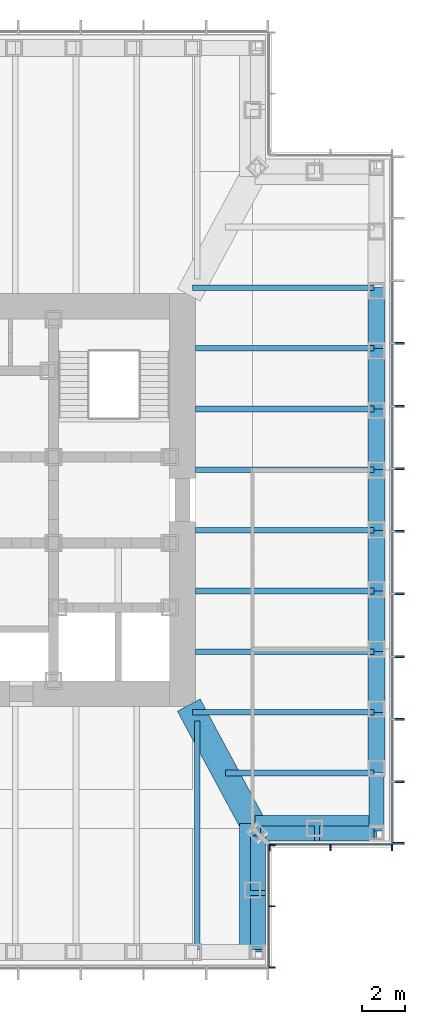
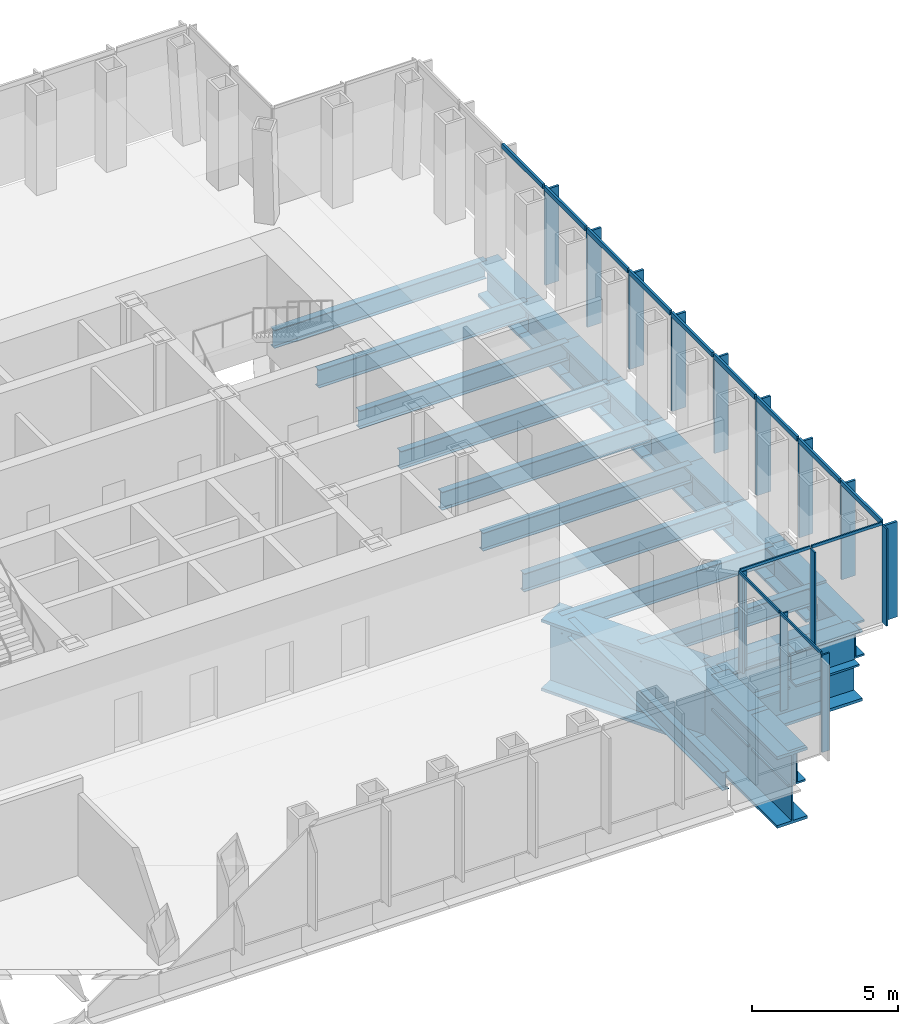
# One storey, part 4 of 14: 28 members, 26 beams, 3 elements without a shape of their own.
"""IFC4 building model written with IfcOpenShell, lengths in metres."""

import ifcopenshell
import ifcopenshell.guid

model = None  # the IFC model being written
_history = None  # IfcOwnerHistory: only IFC2X3 demands one
_inside = {}  # id of a spatial element -> (the spatial element, [elements in it])
_under = {}  # id of a project, library or spatial element -> (it, [spatial elements below it])
_declared = {}  # id of a project -> (the project, [libraries it declares])
_typed = {}  # id of a type object -> (the type object, [elements of that type])
_made_of = {}  # id of a material, layer set ... -> (it, [elements and type objects made of it])


def new_model(schema):
    """Start an empty IFC model of exactly this schema.

    Asked for "IFC4X3", IfcOpenShell would pick the latest addendum, in which some entities
    have other attributes; the version numbers below select the first issue.
    IFC2X3 requires an IfcOwnerHistory on every rooted entity: one is made here for all.
    """
    global model, _history
    if schema == "IFC4X3":
        model = ifcopenshell.file(schema_version=(4, 3, 0, 0))
    else:
        model = ifcopenshell.file(schema=schema)
    _inside.clear()
    _under.clear()
    _declared.clear()
    _typed.clear()
    _made_of.clear()
    _history = None
    if model.schema == "IFC2X3":
        org = make("IfcOrganization", Name="unknown")
        user = make(
            "IfcPersonAndOrganization",
            ThePerson=make("IfcPerson", FamilyName="unknown"),
            TheOrganization=org,
        )
        app = make(
            "IfcApplication",
            ApplicationDeveloper=org,
            Version="unknown",
            ApplicationFullName="unknown",
            ApplicationIdentifier="unknown",
        )
        _history = make(
            "IfcOwnerHistory",
            OwningUser=user,
            OwningApplication=app,
            ChangeAction="ADDED",
            CreationDate=0,
        )
    return model


def make(cls, **values):
    """One entity of the class cls with the attributes given. An attribute that is None is left unset."""
    return model.create_entity(
        cls, **{name: value for name, value in values.items() if value is not None}
    )


def rooted(cls, **values):
    """An entity with a GlobalId (a new one), such as an element, a storey or a relation."""
    return make(cls, GlobalId=ifcopenshell.guid.new(), OwnerHistory=_history, **values)


def si_unit(unit_type, name, prefix=None):
    """IfcSIUnit, for example si_unit("LENGTHUNIT", "METRE", prefix="MILLI")."""
    return make("IfcSIUnit", UnitType=unit_type, Prefix=prefix, Name=name)


def assignment(units):
    """IfcUnitAssignment: the units of a project."""
    return None if units is None else make("IfcUnitAssignment", Units=units)


def point(xyz):
    """IfcCartesianPoint."""
    return None if xyz is None else make("IfcCartesianPoint", Coordinates=xyz)


def direction(xyz):
    """IfcDirection."""
    return None if xyz is None else make("IfcDirection", DirectionRatios=xyz)


def frame(location, z_axis=None, x_axis=None):
    """IfcAxis2Placement3D, a coordinate frame: its origin and axes. An axis left out is left unset."""
    return make(
        "IfcAxis2Placement3D",
        Location=point(location),
        Axis=direction(z_axis),
        RefDirection=direction(x_axis),
    )


def frame_2d(location, x_axis=None):
    """IfcAxis2Placement2D, a coordinate frame in the plane: its origin and x axis."""
    return make(
        "IfcAxis2Placement2D", Location=point(location), RefDirection=direction(x_axis)
    )


def origin():
    """The frame at (0, 0, 0) with its axes left unset."""
    return frame((0.0, 0.0, 0.0))


def origin_2d():
    """The frame at (0, 0) in the plane with its x axis left unset."""
    return frame_2d((0.0, 0.0))


def place(relative_to, where):
    """IfcLocalPlacement: puts the frame where relative to a parent placement (None: the world)."""
    return make(
        "IfcLocalPlacement", PlacementRelTo=relative_to, RelativePlacement=where
    )


def context(
    kind, dimensions, precision=None, world=None, true_north=None, identifier=None
):
    """IfcGeometricRepresentationContext, for example the 3D "Model" context."""
    return make(
        "IfcGeometricRepresentationContext",
        ContextIdentifier=identifier,
        ContextType=kind,
        CoordinateSpaceDimension=dimensions,
        Precision=precision,
        WorldCoordinateSystem=world,
        TrueNorth=true_north,
    )


def subcontext(parent, identifier, kind, view, scale=None):
    """IfcGeometricRepresentationSubContext, for example "Body" below "Model"."""
    return make(
        "IfcGeometricRepresentationSubContext",
        ContextIdentifier=identifier,
        ContextType=kind,
        ParentContext=parent,
        TargetScale=scale,
        TargetView=view,
    )


def project(units=None, contexts=None):
    """IfcProject with its units and contexts."""
    return rooted(
        "IfcProject",
        Name="project",
        RepresentationContexts=contexts,
        UnitsInContext=assignment(units),
    )


def spatial(cls, under=None, at=None, **own):
    """A site, building, storey or space (cls), placed at a placement, below another one or the project."""
    s = rooted(cls, ObjectPlacement=at, **own)
    if under is not None:
        _under.setdefault(under.id(), (under, []))[1].append(s)
    return s


def profile(cls, at=None, kind="AREA", **sizes):
    """A parametric profile (cls). Its sizes go by their IFC names, for example OverallWidth=200.0."""
    return make(cls, ProfileType=kind, Position=at, **sizes)


def rectangle(**sizes):
    """IfcRectangleProfileDef."""
    return profile("IfcRectangleProfileDef", **sizes)


def i_section(**sizes):
    """IfcIShapeProfileDef."""
    return profile("IfcIShapeProfileDef", **sizes)


def extrude(swept, where, along, depth):
    """IfcExtrudedAreaSolid: the profile swept, set in the frame where, extruded along a direction by depth."""
    return make(
        "IfcExtrudedAreaSolid",
        SweptArea=swept,
        Position=where,
        ExtrudedDirection=direction(along),
        Depth=depth,
    )


def shape(context_of_items, identifier, shape_type, items):
    """IfcShapeRepresentation: the items that make up one representation, for example the "Body"."""
    return make(
        "IfcShapeRepresentation",
        ContextOfItems=context_of_items,
        RepresentationIdentifier=identifier,
        RepresentationType=shape_type,
        Items=items,
    )


def material(Name=None, Category=None):
    """IfcMaterial."""
    return make("IfcMaterial", Name=Name, Category=Category)


def material_profile(
    of_material, cross_section, Name=None, Category=None, Priority=None
):
    """IfcMaterialProfile: a cross section and its material."""
    return make(
        "IfcMaterialProfile",
        Name=Name,
        Material=of_material,
        Profile=cross_section,
        Priority=Priority,
        Category=Category,
    )


def profile_set(profiles, Name=None, composite=None):
    """IfcMaterialProfileSet."""
    return make(
        "IfcMaterialProfileSet",
        Name=Name,
        MaterialProfiles=profiles,
        CompositeProfile=composite,
    )


def made_of(thing, what):
    """Note that an element or type object is made of a material, layer set ...; save() writes the relation."""
    if what is not None:
        _made_of.setdefault(what.id(), (what, []))[1].append(thing)
    return thing


def type_object(cls, material=None, **own):
    """A type object (cls), such as IfcWallType, which elements share."""
    return made_of(rooted(cls, **own), material)


def element(
    cls,
    number,
    at=None,
    inside=None,
    cuts=None,
    type_object=None,
    material=None,
    context=None,
    identifier="Body",
    shape_type=None,
    held_by="IfcProductDefinitionShape",
    body=None,
    shapes=None,
    **own,
):
    """One element of the class cls, such as IfcWall. Its Tag is "e" and its number.

    at: its placement. inside: the storey or other place that contains it. cuts: it is an
    opening in that element (IfcRelVoidsElement). A single representation is given by context,
    identifier, shape_type and body (its items); several are given by shapes. held_by: the class
    of the entity that holds the representations. save() writes the other relations.
    """
    e = rooted(cls, Tag="e%d" % number, ObjectPlacement=at, **own)
    if body is not None:
        shapes = [shape(context, identifier, shape_type, body)]
    if shapes is not None:
        e.Representation = make(held_by, Representations=shapes)
    if inside is not None:
        _inside.setdefault(inside.id(), (inside, []))[1].append(e)
    if cuts is not None:
        rooted(
            "IfcRelVoidsElement", RelatingBuildingElement=cuts, RelatedOpeningElement=e
        )
    if type_object is not None:
        _typed.setdefault(type_object.id(), (type_object, []))[1].append(e)
    return made_of(e, material)


def aggregate(whole, parts):
    """IfcRelAggregates: a whole, such as a stair, and the parts it consists of."""
    return rooted("IfcRelAggregates", RelatingObject=whole, RelatedObjects=parts)


def save(model, path):
    """Write the relations noted so far, then the file.

    IfcRelAggregates (storeys below a building ...), IfcRelContainedInSpatialStructure (elements
    in a storey), IfcRelDefinesByType, IfcRelAssociatesMaterial and IfcRelDeclares: one each for
    every whole, place, type object, material and project.
    """
    for whole, parts in _under.values():
        aggregate(whole, parts)
    for where, things in _inside.values():
        rooted(
            "IfcRelContainedInSpatialStructure",
            RelatedElements=things,
            RelatingStructure=where,
        )
    for kind, things in _typed.values():
        rooted("IfcRelDefinesByType", RelatedObjects=things, RelatingType=kind)
    for what, things in _made_of.values():
        rooted("IfcRelAssociatesMaterial", RelatedObjects=things, RelatingMaterial=what)
    for by, libraries in _declared.values():
        rooted("IfcRelDeclares", RelatingContext=by, RelatedDefinitions=libraries)
    model.write(path)


model = new_model("IFC4")

# Units and contexts
model_context = context("Model", 3, precision=1e-05, world=origin(), true_north=direction((0.0, 1.0)))
body_context = subcontext(model_context, "Body", "Model", "MODEL_VIEW")
ifc_project = project(units=[si_unit("LENGTHUNIT", "METRE"), si_unit("AREAUNIT", "SQUARE_METRE"), si_unit("VOLUMEUNIT", "CUBIC_METRE"), si_unit("PLANEANGLEUNIT", "RADIAN"), si_unit("MASSUNIT", "GRAM", prefix="KILO")], contexts=[model_context])

# Site, building, storey
site_placement = place(None, origin())
site = spatial("IfcSite", under=ifc_project, at=site_placement, CompositionType="ELEMENT")
building_placement = place(site_placement, origin())
building = spatial("IfcBuilding", under=site, at=building_placement, Name="Daluyong Arena Tower", CompositionType="ELEMENT")
storey_placement = place(building_placement, frame((0.0, 0.0, 250.300048828125)))
storey = spatial("IfcBuildingStorey", under=building, at=storey_placement, Name="L56", CompositionType="ELEMENT", Elevation=250.300048828125)

# Curtain wall, members
ifc_material_1 = material(Name="Bronze anodised aluminium and glass", Category="aluminium")
curtain_wall_type_1 = type_object("IfcCurtainWallType", Name="Curtain wall CW4", PredefinedType="USERDEFINED", material=ifc_material_1)
curtain_wall_1_placement = place(storey_placement, origin())
curtain_wall_1 = element("IfcCurtainWall", 1, at=curtain_wall_1_placement, inside=storey, type_object=curtain_wall_type_1, Name="curtain wall L56 E", ObjectType="UNITISED CURTAIN WALL", PredefinedType="USERDEFINED")
ifc_material_2 = material(Name="Bronze anodised aluminium fin", Category="aluminium")
ifc_material_profile_1 = material_profile(ifc_material_2, rectangle(XDim=0.550048828125, YDim=0.090087890625, at=origin_2d()))
ifc_profile_set_1 = profile_set([ifc_material_profile_1], Name="Bronze anodised aluminium fin")
member_type_1 = type_object("IfcMemberType", Name="CW4 bronze fin 550x90", PredefinedType="MULLION", material=ifc_profile_set_1)
member_1_placement = place(storey_placement, frame((78.02490234375, 64.044921875, 0.0), z_axis=(0.0, 0.0, 1.0), x_axis=(-1.0, 0.0, 0.0)))
member_1 = element("IfcMember", 2, at=member_1_placement, type_object=member_type_1, Name="curtain wall L56 E fin 1", PredefinedType="MULLION", context=body_context, shape_type="SweptSolid", body=[
    extrude(rectangle(XDim=0.550048828125, YDim=0.090087890625, at=origin_2d()), origin(), (0.0, 0.0, 1.0), 4.0),
])
member_2_placement = place(storey_placement, frame((78.02490234375, 66.9091796875, 0.0), z_axis=(0.0, 0.0, 1.0), x_axis=(-1.0, 0.0, 0.0)))
member_2 = element("IfcMember", 3, at=member_2_placement, type_object=member_type_1, Name="curtain wall L56 E fin 2", PredefinedType="MULLION", context=body_context, shape_type="SweptSolid", body=[
    extrude(rectangle(XDim=0.550048828125, YDim=0.090087890625, at=origin_2d()), origin(), (0.0, 0.0, 1.0), 4.0),
])
member_3_placement = place(storey_placement, frame((78.02490234375, 69.818115234375, 0.0), z_axis=(0.0, 0.0, 1.0), x_axis=(-1.0, 0.0, 0.0)))
member_3 = element("IfcMember", 4, at=member_3_placement, type_object=member_type_1, Name="curtain wall L56 E fin 3", PredefinedType="MULLION", context=body_context, shape_type="SweptSolid", body=[
    extrude(rectangle(XDim=0.550048828125, YDim=0.090087890625, at=origin_2d()), origin(), (0.0, 0.0, 1.0), 4.0),
])
member_4_placement = place(storey_placement, frame((78.02490234375, 72.727294921875, 0.0), z_axis=(0.0, 0.0, 1.0), x_axis=(-1.0, 0.0, 0.0)))
member_4 = element("IfcMember", 5, at=member_4_placement, type_object=member_type_1, Name="curtain wall L56 E fin 4", PredefinedType="MULLION", context=body_context, shape_type="SweptSolid", body=[
    extrude(rectangle(XDim=0.550048828125, YDim=0.090087890625, at=origin_2d()), origin(), (0.0, 0.0, 1.0), 4.0),
])
member_5_placement = place(storey_placement, frame((78.02490234375, 75.636474609375, 0.0), z_axis=(0.0, 0.0, 1.0), x_axis=(-1.0, 0.0, 0.0)))
member_5 = element("IfcMember", 6, at=member_5_placement, type_object=member_type_1, Name="curtain wall L56 E fin 5", PredefinedType="MULLION", context=body_context, shape_type="SweptSolid", body=[
    extrude(rectangle(XDim=0.550048828125, YDim=0.090087890625, at=origin_2d()), origin(), (0.0, 0.0, 1.0), 4.0),
])
member_6_placement = place(storey_placement, frame((78.02490234375, 78.54541015625, 0.0), z_axis=(0.0, 0.0, 1.0), x_axis=(-1.0, 0.0, 0.0)))
member_6 = element("IfcMember", 7, at=member_6_placement, type_object=member_type_1, Name="curtain wall L56 E fin 6", PredefinedType="MULLION", context=body_context, shape_type="SweptSolid", body=[
    extrude(rectangle(XDim=0.550048828125, YDim=0.090087890625, at=origin_2d()), origin(), (0.0, 0.0, 1.0), 4.0),
])
member_7_placement = place(storey_placement, frame((78.02490234375, 81.45458984375, 0.0), z_axis=(0.0, 0.0, 1.0), x_axis=(-1.0, 0.0, 0.0)))
member_7 = element("IfcMember", 8, at=member_7_placement, type_object=member_type_1, Name="curtain wall L56 E fin 7", PredefinedType="MULLION", context=body_context, shape_type="SweptSolid", body=[
    extrude(rectangle(XDim=0.550048828125, YDim=0.090087890625, at=origin_2d()), origin(), (0.0, 0.0, 1.0), 4.0),
])
member_8_placement = place(storey_placement, frame((78.02490234375, 84.363525390625, 0.0), z_axis=(0.0, 0.0, 1.0), x_axis=(-1.0, 0.0, 0.0)))
member_8 = element("IfcMember", 9, at=member_8_placement, type_object=member_type_1, Name="curtain wall L56 E fin 8", PredefinedType="MULLION", context=body_context, shape_type="SweptSolid", body=[
    extrude(rectangle(XDim=0.550048828125, YDim=0.090087890625, at=origin_2d()), origin(), (0.0, 0.0, 1.0), 4.0),
])
member_9_placement = place(storey_placement, frame((78.02490234375, 87.272705078125, 0.0), z_axis=(0.0, 0.0, 1.0), x_axis=(-1.0, 0.0, 0.0)))
member_9 = element("IfcMember", 10, at=member_9_placement, type_object=member_type_1, Name="curtain wall L56 E fin 9", PredefinedType="MULLION", context=body_context, shape_type="SweptSolid", body=[
    extrude(rectangle(XDim=0.550048828125, YDim=0.090087890625, at=origin_2d()), origin(), (0.0, 0.0, 1.0), 4.0),
])
ifc_material_3 = material(Name="Bronze anodised aluminium", Category="aluminium")
ifc_material_profile_2 = material_profile(ifc_material_3, rectangle(XDim=0.090087890625, YDim=0.199951171875, at=origin_2d()))
ifc_profile_set_2 = profile_set([ifc_material_profile_2], Name="Bronze anodised aluminium")
member_type_2 = type_object("IfcMemberType", Name="CW4 stack transom 200x90", PredefinedType="USERDEFINED", material=ifc_profile_set_2)
member_10_placement = place(storey_placement, frame((77.75, 64.090087890625, 4.099853515625), z_axis=(0.0, 1.0, 0.0), x_axis=(-1.0, 0.0, 0.0)))
member_10 = element("IfcMember", 11, at=member_10_placement, type_object=member_type_2, Name="curtain wall L56 E transom 1", ObjectType="TRANSOM", PredefinedType="USERDEFINED", context=body_context, shape_type="SweptSolid", body=[
    extrude(rectangle(XDim=0.090087890625, YDim=0.199951171875, at=origin_2d()), origin(), (0.0, 0.0, 1.0), 2.77392578125),
])
member_11_placement = place(storey_placement, frame((77.75, 66.9541015625, 4.099853515625), z_axis=(0.0, 1.0, 0.0), x_axis=(-1.0, 0.0, 0.0)))
member_11 = element("IfcMember", 12, at=member_11_placement, type_object=member_type_2, Name="curtain wall L56 E transom 2", ObjectType="TRANSOM", PredefinedType="USERDEFINED", context=body_context, shape_type="SweptSolid", body=[
    extrude(rectangle(XDim=0.090087890625, YDim=0.199951171875, at=origin_2d()), origin(), (0.0, 0.0, 1.0), 2.819091796875),
])
member_12_placement = place(storey_placement, frame((77.75, 69.86328125, 4.099853515625), z_axis=(0.0, 1.0, 0.0), x_axis=(-1.0, 0.0, 0.0)))
member_12 = element("IfcMember", 13, at=member_12_placement, type_object=member_type_2, Name="curtain wall L56 E transom 3", ObjectType="TRANSOM", PredefinedType="USERDEFINED", context=body_context, shape_type="SweptSolid", body=[
    extrude(rectangle(XDim=0.090087890625, YDim=0.199951171875, at=origin_2d()), origin(), (0.0, 0.0, 1.0), 2.819091796875),
])
member_13_placement = place(storey_placement, frame((77.75, 72.772216796875, 4.099853515625), z_axis=(0.0, 1.0, 0.0), x_axis=(-1.0, 0.0, 0.0)))
member_13 = element("IfcMember", 14, at=member_13_placement, type_object=member_type_2, Name="curtain wall L56 E transom 4", ObjectType="TRANSOM", PredefinedType="USERDEFINED", context=body_context, shape_type="SweptSolid", body=[
    extrude(rectangle(XDim=0.090087890625, YDim=0.199951171875, at=origin_2d()), origin(), (0.0, 0.0, 1.0), 2.819091796875),
])
member_14_placement = place(storey_placement, frame((77.75, 75.681396484375, 4.099853515625), z_axis=(0.0, 1.0, 0.0), x_axis=(-1.0, 0.0, 0.0)))
member_14 = element("IfcMember", 15, at=member_14_placement, type_object=member_type_2, Name="curtain wall L56 E transom 5", ObjectType="TRANSOM", PredefinedType="USERDEFINED", context=body_context, shape_type="SweptSolid", body=[
    extrude(rectangle(XDim=0.090087890625, YDim=0.199951171875, at=origin_2d()), origin(), (0.0, 0.0, 1.0), 2.819091796875),
])
member_15_placement = place(storey_placement, frame((77.75, 78.590576171875, 4.099853515625), z_axis=(0.0, 1.0, 0.0), x_axis=(-1.0, 0.0, 0.0)))
member_15 = element("IfcMember", 16, at=member_15_placement, type_object=member_type_2, Name="curtain wall L56 E transom 6", ObjectType="TRANSOM", PredefinedType="USERDEFINED", context=body_context, shape_type="SweptSolid", body=[
    extrude(rectangle(XDim=0.090087890625, YDim=0.199951171875, at=origin_2d()), origin(), (0.0, 0.0, 1.0), 2.81884765625),
])
member_16_placement = place(storey_placement, frame((77.75, 81.49951171875, 4.099853515625), z_axis=(0.0, 1.0, 0.0), x_axis=(-1.0, 0.0, 0.0)))
member_16 = element("IfcMember", 17, at=member_16_placement, type_object=member_type_2, Name="curtain wall L56 E transom 7", ObjectType="TRANSOM", PredefinedType="USERDEFINED", context=body_context, shape_type="SweptSolid", body=[
    extrude(rectangle(XDim=0.090087890625, YDim=0.199951171875, at=origin_2d()), origin(), (0.0, 0.0, 1.0), 2.819091796875),
])
member_17_placement = place(storey_placement, frame((77.75, 84.40869140625, 4.099853515625), z_axis=(0.0, 1.0, 0.0), x_axis=(-1.0, 0.0, 0.0)))
member_17 = element("IfcMember", 18, at=member_17_placement, type_object=member_type_2, Name="curtain wall L56 E transom 8", ObjectType="TRANSOM", PredefinedType="USERDEFINED", context=body_context, shape_type="SweptSolid", body=[
    extrude(rectangle(XDim=0.090087890625, YDim=0.199951171875, at=origin_2d()), origin(), (0.0, 0.0, 1.0), 2.819091796875),
])
member_18_placement = place(storey_placement, frame((77.75, 87.317626953125, 4.099853515625), z_axis=(0.0, 1.0, 0.0), x_axis=(-1.0, 0.0, 0.0)))
member_18 = element("IfcMember", 19, at=member_18_placement, type_object=member_type_2, Name="curtain wall L56 E transom 9", ObjectType="TRANSOM", PredefinedType="USERDEFINED", context=body_context, shape_type="SweptSolid", body=[
    extrude(rectangle(XDim=0.090087890625, YDim=0.199951171875, at=origin_2d()), origin(), (0.0, 0.0, 1.0), 2.819091796875),
])
aggregate(curtain_wall_1, [member_1, member_2, member_3, member_4, member_5, member_6, member_7, member_8, member_9, member_10, member_11, member_12, member_13, member_14, member_15, member_16, member_17, member_18])

ifc_material_4 = material(Name="Bronze anodised aluminium and glass", Category="aluminium")
curtain_wall_type_2 = type_object("IfcCurtainWallType", Name="Curtain wall CW7", PredefinedType="USERDEFINED", material=ifc_material_4)
curtain_wall_2_placement = place(storey_placement, origin())
curtain_wall_2 = element("IfcCurtainWall", 20, at=curtain_wall_2_placement, inside=storey, type_object=curtain_wall_type_2, Name="curtain wall L56 SE-E", ObjectType="UNITISED CURTAIN WALL", PredefinedType="USERDEFINED")
ifc_material_5 = material(Name="Bronze anodised aluminium fin", Category="aluminium")
ifc_material_profile_3 = material_profile(ifc_material_5, rectangle(XDim=0.300048828125, YDim=0.06005859375, at=origin_2d()))
ifc_profile_set_3 = profile_set([ifc_material_profile_3], Name="Bronze anodised aluminium fin")
member_type_3 = type_object("IfcMemberType", Name="CW7 bronze fin 300x60", PredefinedType="MULLION", material=ifc_profile_set_3)
member_19_placement = place(storey_placement, frame((72.14990234375, 58.280029296875, 0.0), z_axis=(0.0, 0.0, 1.0), x_axis=(-1.0, 0.0, 0.0)))
member_19 = element("IfcMember", 21, at=member_19_placement, type_object=member_type_3, Name="curtain wall L56 SE-E fin 1", PredefinedType="MULLION", context=body_context, shape_type="SweptSolid", body=[
    extrude(rectangle(XDim=0.300048828125, YDim=0.06005859375, at=origin_2d()), origin(), (0.0, 0.0, 1.0), 4.079833984375),
])
member_20_placement = place(storey_placement, frame((72.14990234375, 61.125, 0.0), z_axis=(0.0, 0.0, 1.0), x_axis=(-1.0, 0.0, 0.0)))
member_20 = element("IfcMember", 22, at=member_20_placement, type_object=member_type_3, Name="curtain wall L56 SE-E fin 2", PredefinedType="MULLION", context=body_context, shape_type="SweptSolid", body=[
    extrude(rectangle(XDim=0.300048828125, YDim=0.06005859375, at=origin_2d()), origin(), (0.0, 0.0, 1.0), 4.079833984375),
])
member_21_placement = place(storey_placement, frame((72.14990234375, 63.969970703125, 0.0), z_axis=(0.0, 0.0, 1.0), x_axis=(-1.0, 0.0, 0.0)))
member_21 = element("IfcMember", 23, at=member_21_placement, type_object=member_type_3, Name="curtain wall L56 SE-E fin 3", PredefinedType="MULLION", context=body_context, shape_type="SweptSolid", body=[
    extrude(rectangle(XDim=0.300048828125, YDim=0.06005859375, at=origin_2d()), origin(), (0.0, 0.0, 1.0), 4.079833984375),
])

curtain_wall_3_placement = place(storey_placement, origin())
curtain_wall_3 = element("IfcCurtainWall", 24, at=curtain_wall_3_placement, inside=storey, type_object=curtain_wall_type_2, Name="curtain wall L56 SE-S", ObjectType="UNITISED CURTAIN WALL", PredefinedType="USERDEFINED")
member_22_placement = place(storey_placement, frame((72.030029296875, 63.85009765625, 0.0), z_axis=(0.0, 0.0, 1.0), x_axis=(0.0, 1.0, 0.0)))
member_22 = element("IfcMember", 25, at=member_22_placement, type_object=member_type_3, Name="curtain wall L56 SE-S fin 1", PredefinedType="MULLION", context=body_context, shape_type="SweptSolid", body=[
    extrude(rectangle(XDim=0.300048828125, YDim=0.06005859375, at=origin_2d()), origin(), (0.0, 0.0, 1.0), 4.079833984375),
])
member_23_placement = place(storey_placement, frame((74.875, 63.85009765625, 0.0), z_axis=(0.0, 0.0, 1.0), x_axis=(0.0, 1.0, 0.0)))
member_23 = element("IfcMember", 26, at=member_23_placement, type_object=member_type_3, Name="curtain wall L56 SE-S fin 2", PredefinedType="MULLION", context=body_context, shape_type="SweptSolid", body=[
    extrude(rectangle(XDim=0.300048828125, YDim=0.06005859375, at=origin_2d()), origin(), (0.0, 0.0, 1.0), 4.079833984375),
])
member_24_placement = place(storey_placement, frame((77.719970703125, 63.85009765625, 0.0), z_axis=(0.0, 0.0, 1.0), x_axis=(0.0, 1.0, 0.0)))
member_24 = element("IfcMember", 27, at=member_24_placement, type_object=member_type_3, Name="curtain wall L56 SE-S fin 3", PredefinedType="MULLION", context=body_context, shape_type="SweptSolid", body=[
    extrude(rectangle(XDim=0.300048828125, YDim=0.06005859375, at=origin_2d()), origin(), (0.0, 0.0, 1.0), 4.079833984375),
])

# Member
ifc_material_6 = material(Name="Bronze anodised aluminium", Category="aluminium")
ifc_material_profile_4 = material_profile(ifc_material_6, rectangle(XDim=0.06005859375, YDim=0.1201171875, at=origin_2d()))
ifc_profile_set_4 = profile_set([ifc_material_profile_4], Name="Bronze anodised aluminium")
member_type_4 = type_object("IfcMemberType", Name="CW7 stack transom 120x60", PredefinedType="USERDEFINED", material=ifc_profile_set_4)
member_25_placement = place(storey_placement, frame((72.0, 58.31005859375, 4.139892578125), z_axis=(0.0, 1.0, 0.0), x_axis=(-1.0, 0.0, 0.0)))
member_25 = element("IfcMember", 28, at=member_25_placement, type_object=member_type_4, Name="curtain wall L56 SE-E transom 1", ObjectType="TRANSOM", PredefinedType="USERDEFINED", context=body_context, shape_type="SweptSolid", body=[
    extrude(rectangle(XDim=0.06005859375, YDim=0.1201171875, at=origin_2d()), origin(), (0.0, 0.0, 1.0), 2.784912109375),
])

member_26_placement = place(storey_placement, frame((72.0, 61.155029296875, 4.139892578125), z_axis=(0.0, 1.0, 0.0), x_axis=(-1.0, 0.0, 0.0)))
member_26 = element("IfcMember", 29, at=member_26_placement, type_object=member_type_4, Name="curtain wall L56 SE-E transom 2", ObjectType="TRANSOM", PredefinedType="USERDEFINED", context=body_context, shape_type="SweptSolid", body=[
    extrude(rectangle(XDim=0.06005859375, YDim=0.1201171875, at=origin_2d()), origin(), (0.0, 0.0, 1.0), 2.784912109375),
])

aggregate(curtain_wall_2, [member_19, member_20, member_21, member_25, member_26])

member_27_placement = place(storey_placement, frame((72.06005859375, 64.0, 4.139892578125), z_axis=(1.0, 0.0, 0.0), x_axis=(0.0, 1.0, 0.0)))
member_27 = element("IfcMember", 30, at=member_27_placement, type_object=member_type_4, Name="curtain wall L56 SE-S transom 1", ObjectType="TRANSOM", PredefinedType="USERDEFINED", context=body_context, shape_type="SweptSolid", body=[
    extrude(rectangle(XDim=0.06005859375, YDim=0.1201171875, at=origin_2d()), origin(), (0.0, 0.0, 1.0), 2.784912109375),
])

member_28_placement = place(storey_placement, frame((74.905029296875, 64.0, 4.139892578125), z_axis=(1.0, 0.0, 0.0), x_axis=(0.0, 1.0, 0.0)))
member_28 = element("IfcMember", 31, at=member_28_placement, type_object=member_type_4, Name="curtain wall L56 SE-S transom 2", ObjectType="TRANSOM", PredefinedType="USERDEFINED", context=body_context, shape_type="SweptSolid", body=[
    extrude(rectangle(XDim=0.06005859375, YDim=0.1201171875, at=origin_2d()), origin(), (0.0, 0.0, 1.0), 2.784912109375),
])

aggregate(curtain_wall_3, [member_22, member_23, member_24, member_27, member_28])

# Beams
ifc_material_7 = material(Name="Steel ASTM A992 Grade 50", Category="steel")
ifc_material_profile_5 = material_profile(ifc_material_7, i_section(OverallWidth=0.2666015625, OverallDepth=0.761962890625, WebThickness=0.014404296875, FlangeThickness=0.021484375, at=origin_2d()))
ifc_profile_set_5 = profile_set([ifc_material_profile_5], Name="Steel ASTM A992 Grade 50")
beam_type_1 = type_object("IfcBeamType", Name="Floor beam W30X116", PredefinedType="BEAM", material=ifc_profile_set_5)
beam_1_placement = place(storey_placement, frame((68.681884765625, 59.114990234375, -0.541015625), z_axis=(0.0, 1.0, 0.0), x_axis=(-1.0, 0.0, 0.0)))
element("IfcBeam", 32, at=beam_1_placement, inside=storey, type_object=beam_type_1, Name="floor beam FB4", PredefinedType="BEAM", context=body_context, shape_type="SweptSolid", body=[
    extrude(i_section(OverallWidth=0.2666015625, OverallDepth=0.761962890625, WebThickness=0.014404296875, FlangeThickness=0.021484375, at=origin_2d()), origin(), (0.0, 0.0, 1.0), 10.618896484375),
])
beam_2_placement = place(storey_placement, frame((76.885009765625, 67.318115234375, -0.541015625), z_axis=(-1.0, 0.0, 0.0), x_axis=(0.0, -1.0, 0.0)))
element("IfcBeam", 33, at=beam_2_placement, inside=storey, type_object=beam_type_1, Name="floor beam FB4", PredefinedType="BEAM", context=body_context, shape_type="SweptSolid", body=[
    extrude(i_section(OverallWidth=0.2666015625, OverallDepth=0.761962890625, WebThickness=0.014404296875, FlangeThickness=0.021484375, at=origin_2d()), origin(), (0.0, 0.0, 1.0), 6.902587890625),
])
beam_3_placement = place(storey_placement, frame((76.885009765625, 70.136474609375, -0.541015625), z_axis=(-1.0, 0.0, 0.0), x_axis=(0.0, -1.0, 0.0)))
element("IfcBeam", 34, at=beam_3_placement, inside=storey, type_object=beam_type_1, Name="floor beam FB4", PredefinedType="BEAM", context=body_context, shape_type="SweptSolid", body=[
    extrude(i_section(OverallWidth=0.2666015625, OverallDepth=0.761962890625, WebThickness=0.014404296875, FlangeThickness=0.021484375, at=origin_2d()), origin(), (0.0, 0.0, 1.0), 8.419921875),
])
for number, where, z_axis, x_axis, name in (
    (35, (76.885009765625, 72.95458984375, -0.541015625), (-1.0, 0.0, 0.0), (0.0, -1.0, 0.0), "floor beam FB4"),
    (36, (76.885009765625, 75.772705078125, -0.541015625), (-1.0, 0.0, 0.0), (0.0, -1.0, 0.0), "floor beam FB4"),
    (37, (76.885009765625, 78.5908203125, -0.541015625), (-1.0, 0.0, 0.0), (0.0, -1.0, 0.0), "floor beam FB4"),
    (38, (76.885009765625, 81.4091796875, -0.541015625), (-1.0, 0.0, 0.0), (0.0, -1.0, 0.0), "floor beam FB4"),
    (39, (76.885009765625, 84.227294921875, -0.541015625), (-1.0, 0.0, 0.0), (0.0, -1.0, 0.0), "floor beam FB4"),
    (40, (76.885009765625, 87.04541015625, -0.541015625), (-1.0, 0.0, 0.0), (0.0, -1.0, 0.0), "floor beam FB4"),
):
    element("IfcBeam", number, at=place(storey_placement, frame(where, z_axis=z_axis, x_axis=x_axis)), inside=storey, type_object=beam_type_1, Name=name, PredefinedType="BEAM", context=body_context, shape_type="SweptSolid", body=[
        extrude(i_section(OverallWidth=0.2666015625, OverallDepth=0.761962890625, WebThickness=0.014404296875, FlangeThickness=0.021484375, at=origin_2d()), origin(), (0.0, 0.0, 1.0), 8.284912109375),
    ])
beam_4_placement = place(storey_placement, frame((76.885009765625, 89.863525390625, -0.541015625), z_axis=(-1.0, 0.0, 0.0), x_axis=(0.0, -1.0, 0.0)))
element("IfcBeam", 41, at=beam_4_placement, inside=storey, type_object=beam_type_1, Name="floor beam FB4", PredefinedType="BEAM", context=body_context, shape_type="SweptSolid", body=[
    extrude(i_section(OverallWidth=0.2666015625, OverallDepth=0.761962890625, WebThickness=0.014404296875, FlangeThickness=0.021484375, at=origin_2d()), origin(), (0.0, 0.0, 1.0), 8.419921875),
])
ifc_material_8 = material(Name="Steel ASTM A572 Grade 50", Category="steel")
ifc_material_profile_6 = material_profile(ifc_material_8, i_section(OverallWidth=0.699951171875, OverallDepth=1.5, WebThickness=0.04, FlangeThickness=0.08, at=origin_2d()))
ifc_profile_set_6 = profile_set([ifc_material_profile_6], Name="Steel ASTM A572 Grade 50")
beam_type_2 = type_object("IfcBeamType", Name="Spandrel Z3 PG1500X700", PredefinedType="SPANDREL", material=ifc_profile_set_6)
for number, where, z_axis, x_axis, name in (
    (42, (71.5, 59.114990234375, -0.91015625), (0.0, 1.0, 0.0), (-1.0, 0.0, 0.0), "spandrel z3 SB8"),
    (43, (71.5, 61.864990234375, -0.91015625), (0.0, 1.0, 0.0), (-1.0, 0.0, 0.0), "spandrel z3 SB8"),
    (44, (71.614990234375, 64.5, -0.91015625), (1.0, 0.0, 0.0), (0.0, 1.0, 0.0), "spandrel z3 SB8"),
    (45, (74.364990234375, 64.5, -0.91015625), (1.0, 0.0, 0.0), (0.0, 1.0, 0.0), "spandrel z3 SB8"),
):
    element("IfcBeam", number, at=place(storey_placement, frame(where, z_axis=z_axis, x_axis=x_axis)), inside=storey, type_object=beam_type_2, Name=name, PredefinedType="SPANDREL", context=body_context, shape_type="SweptSolid", body=[
        extrude(i_section(OverallWidth=0.699951171875, OverallDepth=1.5, WebThickness=0.04, FlangeThickness=0.08, at=origin_2d()), origin(), (0.0, 0.0, 1.0), 2.52001953125),
    ])
beam_5_placement = place(storey_placement, frame((77.0, 64.614990234375, -0.91015625), z_axis=(0.0, 1.0, 0.0), x_axis=(-1.0, 0.0, 0.0)))
element("IfcBeam", 46, at=beam_5_placement, inside=storey, type_object=beam_type_2, Name="spandrel z3 SB8", PredefinedType="SPANDREL", context=body_context, shape_type="SweptSolid", body=[
    extrude(i_section(OverallWidth=0.699951171875, OverallDepth=1.5, WebThickness=0.04, FlangeThickness=0.08, at=origin_2d()), origin(), (0.0, 0.0, 1.0), 2.588134765625),
])
ifc_material_9 = material(Name="Steel ASTM A588 Grade 50", Category="steel")
ifc_material_profile_7 = material_profile(ifc_material_9, i_section(OverallWidth=1.199951171875, OverallDepth=3.0, WebThickness=0.06, FlangeThickness=0.12, at=origin_2d()))
ifc_profile_set_7 = profile_set([ifc_material_profile_7], Name="Steel ASTM A588 Grade 50")
beam_type_3 = type_object("IfcBeamType", Name="Transfer beam PG3000X1200", PredefinedType="BEAM", material=ifc_profile_set_7)
beam_6_placement = place(storey_placement, frame((71.5, 64.5, -1.66015625), z_axis=(-0.474106262714, 0.880467632372, 0.0), x_axis=(-0.880467632372, -0.474106262714, 0.0)))
element("IfcBeam", 47, at=beam_6_placement, inside=storey, type_object=beam_type_3, Name="transfer beam TR5", PredefinedType="BEAM", context=body_context, shape_type="SweptSolid", body=[
    extrude(i_section(OverallWidth=1.199951171875, OverallDepth=3.0, WebThickness=0.06, FlangeThickness=0.12, at=origin_2d()), origin(), (0.0, 0.0, 1.0), 6.782470703125),
])
beam_7_placement = place(storey_placement, frame((71.365478515625, 64.75, -1.66015625), z_axis=(1.0, 0.0, 0.0), x_axis=(0.0, 1.0, 0.0)))
element("IfcBeam", 48, at=beam_7_placement, inside=storey, type_object=beam_type_3, Name="transfer beam TR5", PredefinedType="BEAM", context=body_context, shape_type="SweptSolid", body=[
    extrude(i_section(OverallWidth=1.199951171875, OverallDepth=3.0, WebThickness=0.06, FlangeThickness=0.12, at=origin_2d()), origin(), (0.0, 0.0, 1.0), 5.634521484375),
])
beam_8_placement = place(storey_placement, frame((71.25, 59.0, -1.66015625), z_axis=(0.0, 1.0, 0.0), x_axis=(-1.0, 0.0, 0.0)))
element("IfcBeam", 49, at=beam_8_placement, inside=storey, type_object=beam_type_3, Name="transfer beam TR5", PredefinedType="BEAM", context=body_context, shape_type="SweptSolid", body=[
    extrude(i_section(OverallWidth=1.199951171875, OverallDepth=3.0, WebThickness=0.06, FlangeThickness=0.12, at=origin_2d()), origin(), (0.0, 0.0, 1.0), 5.96435546875),
])
ifc_material_10 = material(Name="Steel ASTM A588 Grade 50", Category="steel")
ifc_material_profile_8 = material_profile(ifc_material_10, i_section(OverallWidth=0.800048828125, OverallDepth=1.5, WebThickness=0.05, FlangeThickness=0.12, at=origin_2d()))
ifc_profile_set_8 = profile_set([ifc_material_profile_8], Name="Steel ASTM A588 Grade 50")
beam_type_4 = type_object("IfcBeamType", Name="Transfer spandrel PG1500X800", PredefinedType="SPANDREL", material=ifc_profile_set_8)
beam_9_placement = place(storey_placement, frame((77.0, 67.318115234375, -0.91015625), z_axis=(0.0, 1.0, 0.0), x_axis=(-1.0, 0.0, 0.0)))
element("IfcBeam", 50, at=beam_9_placement, inside=storey, type_object=beam_type_4, Name="transfer spandrel TS1", PredefinedType="SPANDREL", context=body_context, shape_type="SweptSolid", body=[
    extrude(i_section(OverallWidth=0.800048828125, OverallDepth=1.5, WebThickness=0.05, FlangeThickness=0.12, at=origin_2d()), origin(), (0.0, 0.0, 1.0), 2.818359375),
])
for number, where, z_axis, x_axis, name in (
    (51, (77.0, 70.136474609375, -0.91015625), (0.0, 1.0, 0.0), (-1.0, 0.0, 0.0), "transfer spandrel TS1"),
    (52, (77.0, 72.95458984375, -0.91015625), (0.0, 1.0, 0.0), (-1.0, 0.0, 0.0), "transfer spandrel TS1"),
    (53, (77.0, 75.772705078125, -0.91015625), (0.0, 1.0, 0.0), (-1.0, 0.0, 0.0), "transfer spandrel TS1"),
):
    element("IfcBeam", number, at=place(storey_placement, frame(where, z_axis=z_axis, x_axis=x_axis)), inside=storey, type_object=beam_type_4, Name=name, PredefinedType="SPANDREL", context=body_context, shape_type="SweptSolid", body=[
        extrude(i_section(OverallWidth=0.800048828125, OverallDepth=1.5, WebThickness=0.05, FlangeThickness=0.12, at=origin_2d()), origin(), (0.0, 0.0, 1.0), 2.818115234375),
    ])
beam_10_placement = place(storey_placement, frame((77.0, 78.5908203125, -0.91015625), z_axis=(0.0, 1.0, 0.0), x_axis=(-1.0, 0.0, 0.0)))
element("IfcBeam", 54, at=beam_10_placement, inside=storey, type_object=beam_type_4, Name="transfer spandrel TS1", PredefinedType="SPANDREL", context=body_context, shape_type="SweptSolid", body=[
    extrude(i_section(OverallWidth=0.800048828125, OverallDepth=1.5, WebThickness=0.05, FlangeThickness=0.12, at=origin_2d()), origin(), (0.0, 0.0, 1.0), 2.818359375),
])
for number, where, z_axis, x_axis, name in (
    (55, (77.0, 81.4091796875, -0.91015625), (0.0, 1.0, 0.0), (-1.0, 0.0, 0.0), "transfer spandrel TS1"),
    (56, (77.0, 84.227294921875, -0.91015625), (0.0, 1.0, 0.0), (-1.0, 0.0, 0.0), "transfer spandrel TS1"),
    (57, (77.0, 87.04541015625, -0.91015625), (0.0, 1.0, 0.0), (-1.0, 0.0, 0.0), "transfer spandrel TS1"),
):
    element("IfcBeam", number, at=place(storey_placement, frame(where, z_axis=z_axis, x_axis=x_axis)), inside=storey, type_object=beam_type_4, Name=name, PredefinedType="SPANDREL", context=body_context, shape_type="SweptSolid", body=[
        extrude(i_section(OverallWidth=0.800048828125, OverallDepth=1.5, WebThickness=0.05, FlangeThickness=0.12, at=origin_2d()), origin(), (0.0, 0.0, 1.0), 2.818115234375),
    ])

save(model, "model.ifc")
